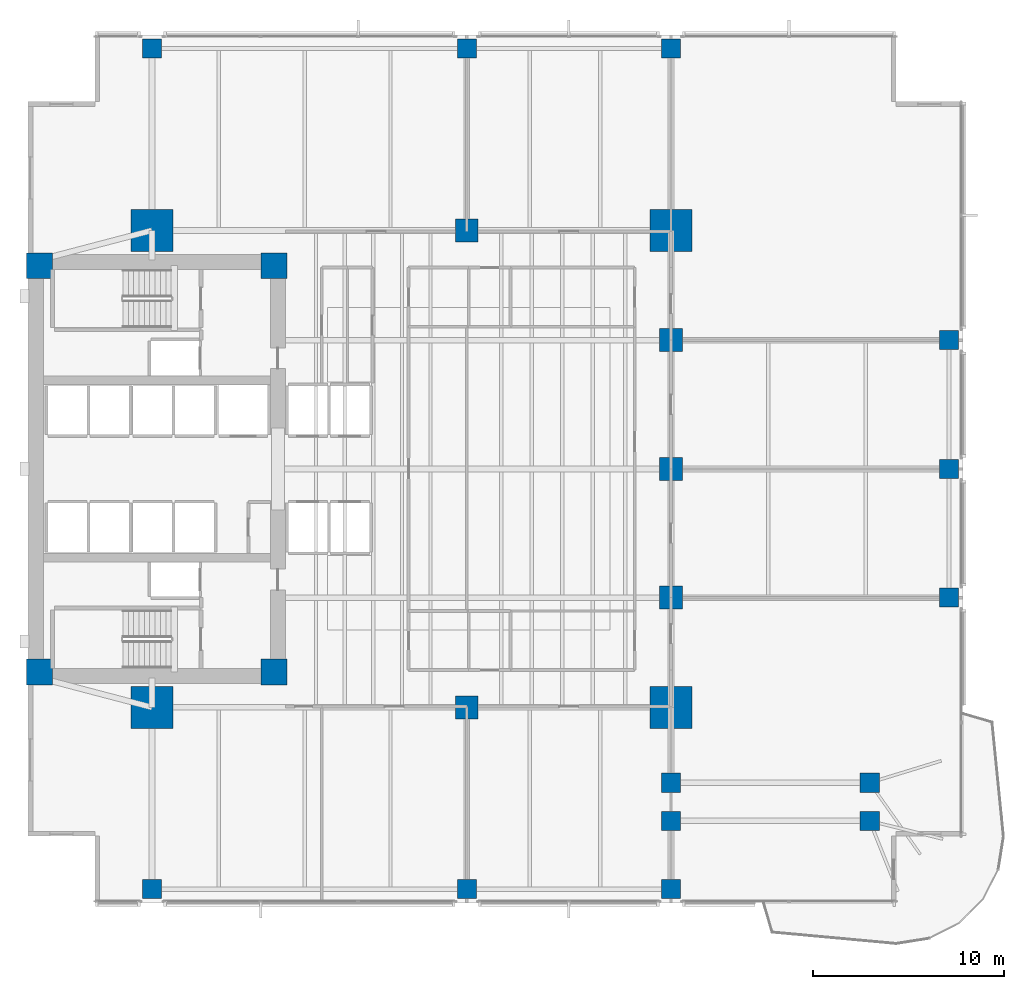
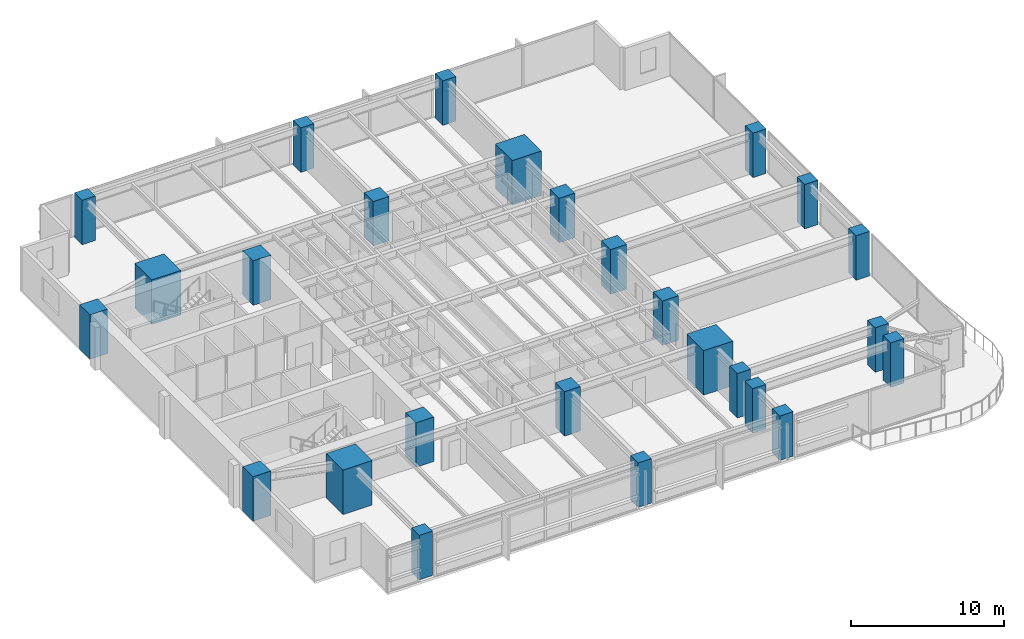
# One storey, part 1 of 15: 26 columns.
"""IFC4 building model written with IfcOpenShell, lengths in metres."""

from ifc_helpers import new_model, si_unit, direction, frame, origin, origin_2d, place, context, subcontext, project, spatial, rectangle, extrude, material, material_profile, profile_set, type_object, element, save


model = new_model("IFC4")

# Units and contexts
model_context = context("Model", 3, precision=1e-05, world=origin(), true_north=direction((0.0, 1.0)))
body_context = subcontext(model_context, "Body", "Model", "MODEL_VIEW")
ifc_project = project(units=[si_unit("LENGTHUNIT", "METRE"), si_unit("AREAUNIT", "SQUARE_METRE"), si_unit("VOLUMEUNIT", "CUBIC_METRE"), si_unit("PLANEANGLEUNIT", "RADIAN"), si_unit("MASSUNIT", "GRAM", prefix="KILO")], contexts=[model_context])

# Site, building, storey
site_placement = place(None, origin())
site = spatial("IfcSite", under=ifc_project, at=site_placement, CompositionType="ELEMENT")
building_placement = place(site_placement, origin())
building = spatial("IfcBuilding", under=site, at=building_placement, Name="Kinhvarn Gate Tower", CompositionType="ELEMENT")
storey_placement = place(building_placement, frame((0.0, 0.0, 32.699951171875)))
storey = spatial("IfcBuildingStorey", under=building, at=storey_placement, Name="L07", CompositionType="ELEMENT", Elevation=32.699951171875)

# Columns
ifc_material_1 = material(Name="Concrete C70/85", Category="concrete")
ifc_material_profile_1 = material_profile(ifc_material_1, rectangle(XDim=2.199951171875, YDim=2.199951171875, at=origin_2d()), Name="RC 2200x2200")
ifc_profile_set_1 = profile_set([ifc_material_profile_1], Name="Concrete C70/85")
column_type_1 = type_object("IfcColumnType", Name="COL-MC-2200", PredefinedType="COLUMN", material=ifc_profile_set_1)
for number, where, z_axis, x_axis, name in (
    (1, (11.0, 12.75, 0.0), (0.0, 0.0, 1.0), (1.0, 0.0, 0.0), "Column MC1-L07 (MC-22)"),
    (2, (11.0, 37.75, 0.0), (0.0, 0.0, 1.0), (1.0, 0.0, 0.0), "Column MC4-L07 (MC-22)"),
    (3, (38.199951171875, 12.75, 0.0), (0.0, 0.0, 1.0), (1.0, 0.0, 0.0), "Column MC2-L07 (MC-22)"),
    (4, (38.199951171875, 37.75, 0.0), (0.0, 0.0, 1.0), (1.0, 0.0, 0.0), "Column MC3-L07 (MC-22)"),
):
    element("IfcColumn", number, at=place(storey_placement, frame(where, z_axis=z_axis, x_axis=x_axis)), inside=storey, type_object=column_type_1, Name=name, PredefinedType="COLUMN", context=body_context, shape_type="SweptSolid", body=[
        extrude(rectangle(XDim=2.199951171875, YDim=2.199951171875, at=origin_2d()), origin(), (0.0, 0.0, 1.0), 3.550048828125),
    ])
ifc_material_2 = material(Name="Concrete C60/75", Category="concrete")
ifc_material_profile_2 = material_profile(ifc_material_2, rectangle(XDim=1.0, YDim=1.0, at=origin_2d()), Name="RC 1000x1000")
ifc_profile_set_2 = profile_set([ifc_material_profile_2], Name="Concrete C60/75")
column_type_2 = type_object("IfcColumnType", Name="COL-RC-1000", PredefinedType="COLUMN", material=ifc_profile_set_2)
for number, where, z_axis, x_axis, name in (
    (5, (48.6201171875, 6.800048828125, 0.0), (0.0, 0.0, 1.0), (1.0, 0.0, 0.0), "Column CS-SE1-L07 (C-100)"),
    (6, (38.199951171875, 6.800048828125, 0.0), (0.0, 0.0, 1.0), (1.0, 0.0, 0.0), "Column CS-ANC68-L07 (C-100)"),
    (7, (38.199951171875, 8.800048828125, 0.0), (0.0, 0.0, 1.0), (1.0, 0.0, 0.0), "Column CS-ANC88-L07 (C-100)"),
    (8, (48.6201171875, 8.800048828125, 0.0), (0.0, 0.0, 1.0), (1.0, 0.0, 0.0), "Column CS-SE1B-L07 (C-100)"),
    (9, (52.780029296875, 18.5, 0.0), (0.0, 0.0, 1.0), (1.0, 0.0, 0.0), "Column CE-1-L07 (C-100)"),
    (10, (52.780029296875, 25.25, 0.0), (0.0, 0.0, 1.0), (1.0, 0.0, 0.0), "Column CE-2-L07 (C-100)"),
    (11, (52.780029296875, 32.0, 0.0), (0.0, 0.0, 1.0), (1.0, 0.0, 0.0), "Column CE-3-L07 (C-100)"),
    (12, (11.0, 3.219970703125, 0.0), (0.0, 0.0, 1.0), (1.0, 0.0, 0.0), "Column CS-0-L07 (C-100)"),
    (13, (27.5, 3.219970703125, 0.0), (0.0, 0.0, 1.0), (1.0, 0.0, 0.0), "Column CS-1-L07 (C-100)"),
    (14, (38.199951171875, 3.219970703125, 0.0), (0.0, 0.0, 1.0), (1.0, 0.0, 0.0), "Column CS-2-L07 (C-100)"),
    (15, (11.0, 47.280029296875, 0.0), (0.0, 0.0, 1.0), (1.0, 0.0, 0.0), "Column CN-0-L07 (C-100)"),
    (16, (27.5, 47.280029296875, 0.0), (0.0, 0.0, 1.0), (1.0, 0.0, 0.0), "Column CN-1-L07 (C-100)"),
    (17, (38.199951171875, 47.280029296875, 0.0), (0.0, 0.0, 1.0), (1.0, 0.0, 0.0), "Column CN-2-L07 (C-100)"),
):
    element("IfcColumn", number, at=place(storey_placement, frame(where, z_axis=z_axis, x_axis=x_axis)), inside=storey, type_object=column_type_2, Name=name, PredefinedType="COLUMN", context=body_context, shape_type="SweptSolid", body=[
        extrude(rectangle(XDim=1.0, YDim=1.0, at=origin_2d()), origin(), (0.0, 0.0, 1.0), 3.550048828125),
    ])
ifc_material_profile_3 = material_profile(ifc_material_2, rectangle(XDim=1.199951171875, YDim=1.199951171875, at=origin_2d()), Name="RC 1200x1200")
ifc_profile_set_3 = profile_set([ifc_material_profile_3], Name="Concrete C60/75")
column_type_3 = type_object("IfcColumnType", Name="COL-RC-1200", PredefinedType="COLUMN", material=ifc_profile_set_3)
for number, where, z_axis, x_axis, name in (
    (18, (27.5, 12.75, 0.0), (0.0, 0.0, 1.0), (1.0, 0.0, 0.0), "Column SP27-S-L07 (C-120)"),
    (19, (27.5, 37.75, 0.0), (0.0, 0.0, 1.0), (1.0, 0.0, 0.0), "Column SP27-N-L07 (C-120)"),
    (20, (38.199951171875, 18.5, 0.0), (0.0, 0.0, 1.0), (1.0, 0.0, 0.0), "Column SP38-E1-L07 (C-120)"),
    (21, (38.199951171875, 25.25, 0.0), (0.0, 0.0, 1.0), (1.0, 0.0, 0.0), "Column SP38-E2-L07 (C-120)"),
    (22, (38.199951171875, 32.0, 0.0), (0.0, 0.0, 1.0), (1.0, 0.0, 0.0), "Column SP38-E3-L07 (C-120)"),
):
    element("IfcColumn", number, at=place(storey_placement, frame(where, z_axis=z_axis, x_axis=x_axis)), inside=storey, type_object=column_type_3, Name=name, PredefinedType="COLUMN", context=body_context, shape_type="SweptSolid", body=[
        extrude(rectangle(XDim=1.199951171875, YDim=1.199951171875, at=origin_2d()), origin(), (0.0, 0.0, 1.0), 3.550048828125),
    ])
ifc_material_profile_4 = material_profile(ifc_material_1, rectangle(XDim=1.35009765625, YDim=1.35009765625, at=origin_2d()), Name="RC 1350x1350")
ifc_profile_set_4 = profile_set([ifc_material_profile_4], Name="Concrete C70/85")
column_type_4 = type_object("IfcColumnType", Name="PIL-RC-1350", PredefinedType="PILASTER", material=ifc_profile_set_4)
for number, where, z_axis, x_axis, name in (
    (23, (5.10009765625, 14.60009765625, 0.0), (0.0, 0.0, 1.0), (1.0, 0.0, 0.0), "Column CC-SW-L07 (CP-135)"),
    (24, (5.10009765625, 35.89990234375, 0.0), (0.0, 0.0, 1.0), (1.0, 0.0, 0.0), "Column CC-NW-L07 (CP-135)"),
    (25, (17.39990234375, 14.60009765625, 0.0), (0.0, 0.0, 1.0), (1.0, 0.0, 0.0), "Column CC-SE-L07 (CP-135)"),
    (26, (17.39990234375, 35.89990234375, 0.0), (0.0, 0.0, 1.0), (1.0, 0.0, 0.0), "Column CC-NE-L07 (CP-135)"),
):
    element("IfcColumn", number, at=place(storey_placement, frame(where, z_axis=z_axis, x_axis=x_axis)), inside=storey, type_object=column_type_4, Name=name, PredefinedType="PILASTER", context=body_context, shape_type="SweptSolid", body=[
        extrude(rectangle(XDim=1.35009765625, YDim=1.35009765625, at=origin_2d()), origin(), (0.0, 0.0, 1.0), 3.550048828125),
    ])

save(model, "model.ifc")
